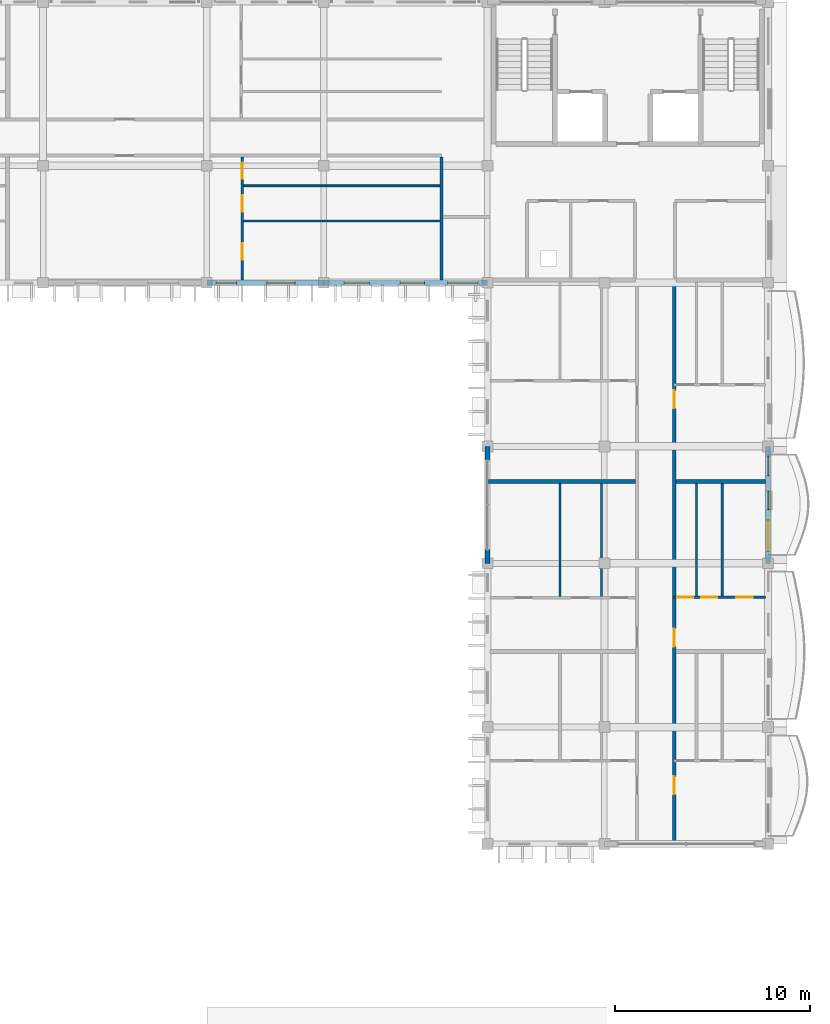
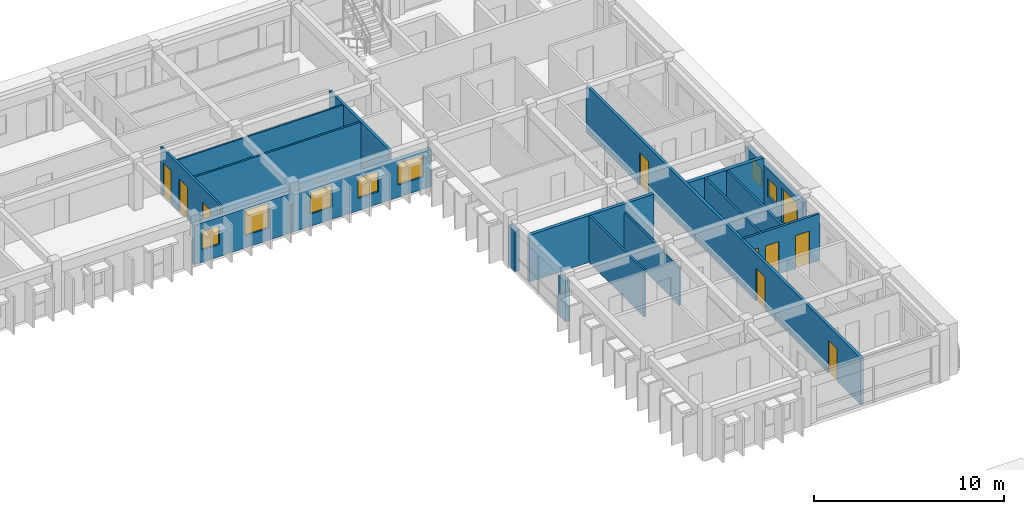
# One storey, part 34 of 54: 17 walls, 10 doors, 7 windows, 17 openings.
"""IFC4 building model written with IfcOpenShell, lengths in metres."""

from ifc_helpers import new_model, si_unit, direction, frame, frame_2d, origin, place, context, subcontext, project, spatial, rectangle, extrude, material, layer, layer_set, type_object, element, fill, save


model = new_model("IFC4")

# Units and contexts
model_context = context("Model", 3, precision=1e-05, world=origin(), true_north=direction((0.0, 1.0)))
body_context = subcontext(model_context, "Body", "Model", "MODEL_VIEW")
ifc_project = project(units=[si_unit("LENGTHUNIT", "METRE"), si_unit("AREAUNIT", "SQUARE_METRE"), si_unit("VOLUMEUNIT", "CUBIC_METRE"), si_unit("PLANEANGLEUNIT", "RADIAN"), si_unit("MASSUNIT", "GRAM", prefix="KILO"), si_unit("THERMODYNAMICTEMPERATUREUNIT", "KELVIN")], contexts=[model_context])

# Site, building, storey
site_placement = place(None, origin())
site = spatial("IfcSite", under=ifc_project, at=site_placement, CompositionType="ELEMENT")
building_placement = place(site_placement, origin())
building = spatial("IfcBuilding", under=site, at=building_placement, Name="Thalorik Housing Commons", CompositionType="ELEMENT")
storey_placement = place(building_placement, frame((0.0, 0.0, 31.199951171875)))
storey = spatial("IfcBuildingStorey", under=building, at=storey_placement, Name="L09", CompositionType="ELEMENT", Elevation=31.199951171875)

# Wall
ifc_material_1 = material(Name="Masonry fire-rated corridor wall", Category="masonry")
ifc_layer_1 = layer(ifc_material_1, 0.14990234375, Name="Masonry fire-rated corridor wall", Category="masonry")
ifc_layer_set_1 = layer_set([ifc_layer_1], Name="Masonry fire-rated corridor wall")
wall_type_1 = type_object("IfcWallType", Name="ARC-WAL-CORR-150", PredefinedType="PARTITIONING", material=ifc_layer_set_1)
wall_1_placement = place(storey_placement, frame((150.050048828125, 109.33447265625, 0.0), z_axis=(0.0, 0.0, 1.0), x_axis=(0.0, 1.0, 0.0)))
element("IfcWall", 1, at=wall_1_placement, inside=storey, type_object=wall_type_1, Name="L09 Block B Vestibule Cheek Wall", PredefinedType="PARTITIONING", context=body_context, shape_type="SweptSolid", body=[
    extrude(rectangle(XDim=6.30859375, YDim=0.14990234375, at=frame_2d((3.154296875, 0.0))), origin(), (0.0, 0.0, 1.0), 3.0),
])

# Wall, openings, doors
ifc_layer_2 = layer(ifc_material_1, 0.1650390625, Name="Masonry fire-rated corridor wall", Category="masonry")
ifc_layer_set_2 = layer_set([ifc_layer_2], Name="Masonry fire-rated corridor wall")
wall_type_2 = type_object("IfcWallType", Name="ARC-WAL-CORR-165", PredefinedType="PARTITIONING", material=ifc_layer_set_2)
wall_2_placement = place(storey_placement, frame((161.97998046875, 80.4599609375, 0.0), z_axis=(0.0, 0.0, 1.0), x_axis=(0.0, 1.0, 0.0)))
wall_2 = element("IfcWall", 2, at=wall_2_placement, inside=storey, type_object=wall_type_2, Name="L09 Block B E Corridor Wall 2", PredefinedType="PARTITIONING", context=body_context, shape_type="SweptSolid", body=[
    extrude(rectangle(XDim=28.880126953125, YDim=0.1650390625, at=frame_2d((14.43994140625, 0.0))), origin(), (0.0, 0.0, 1.0), 3.0),
])
opening_1_placement = place(wall_2_placement, frame((2.4873046875, 0.0, 0.0)))
opening_1 = element("IfcOpeningElement", 3, at=opening_1_placement, cuts=wall_2, Name="Opening ID-1427", PredefinedType="OPENING", context=body_context, shape_type="SweptSolid", body=[
    extrude(rectangle(XDim=0.919921875, YDim=2.10009765625, at=frame_2d((0.4599609375, 1.050048828125))), frame((0.0, 0.092529296875, 0.0), z_axis=(0.0, -1.0, 0.0), x_axis=(1.0, 0.0, 0.0)), (0.0, 0.0, 1.0), 0.18505859375),
])
opening_2_placement = place(wall_2_placement, frame((10.070068359375, 0.0, 0.0)))
opening_2 = element("IfcOpeningElement", 4, at=opening_2_placement, cuts=wall_2, Name="Opening ID-1428", PredefinedType="OPENING", context=body_context, shape_type="SweptSolid", body=[
    extrude(rectangle(XDim=0.919921875, YDim=2.10009765625, at=frame_2d((0.4599609375, 1.050048828125))), frame((0.0, 0.092529296875, 0.0), z_axis=(0.0, -1.0, 0.0), x_axis=(1.0, 0.0, 0.0)), (0.0, 0.0, 1.0), 0.18505859375),
])
opening_3_placement = place(wall_2_placement, frame((22.293212890625, 0.0, 0.0)))
opening_3 = element("IfcOpeningElement", 5, at=opening_3_placement, cuts=wall_2, Name="Opening ID-1429", PredefinedType="OPENING", context=body_context, shape_type="SweptSolid", body=[
    extrude(rectangle(XDim=0.919921875, YDim=2.10009765625, at=frame_2d((0.4599609375, 1.050048828125))), frame((0.0, 0.092529296875, 0.0), z_axis=(0.0, -1.0, 0.0), x_axis=(1.0, 0.0, 0.0)), (0.0, 0.0, 1.0), 0.18505859375),
])
ifc_material_2 = material(Name="Solid core hardwood timber", Category="wood")
door_type_1 = type_object("IfcDoorType", Name="ARC-DR-FD30-920", OperationType="NOTDEFINED", PredefinedType="DOOR", material=ifc_material_2)
door_1_placement = place(opening_1_placement, origin())
door_1 = element("IfcDoor", 6, at=door_1_placement, inside=storey, type_object=door_type_1, Name="L09 Flat BE-1B Entrance Door", OperationType="SINGLE_SWING_RIGHT", OverallHeight=2.10009765625, OverallWidth=0.919921875, PredefinedType="DOOR", context=body_context, shape_type="SweptSolid", body=[
    extrude(rectangle(XDim=0.919921875, YDim=2.10009765625, at=frame_2d((0.4599609375, 1.050048828125))), frame((0.0, 0.02490234375, 0.0), z_axis=(0.0, -1.0, 0.0), x_axis=(1.0, 0.0, 0.0)), (0.0, 0.0, 1.0), 0.050048828125),
])
fill(opening_1, door_1)
door_2_placement = place(opening_2_placement, origin())
door_2 = element("IfcDoor", 7, at=door_2_placement, inside=storey, type_object=door_type_1, Name="L09 Flat BE-2B Entrance Door", OperationType="SINGLE_SWING_LEFT", OverallHeight=2.10009765625, OverallWidth=0.919921875, PredefinedType="DOOR", context=body_context, shape_type="SweptSolid", body=[
    extrude(rectangle(XDim=0.919921875, YDim=2.10009765625, at=frame_2d((0.4599609375, 1.050048828125))), frame((0.0, 0.02490234375, 0.0), z_axis=(0.0, -1.0, 0.0), x_axis=(1.0, 0.0, 0.0)), (0.0, 0.0, 1.0), 0.050048828125),
])
fill(opening_2, door_2)
door_3_placement = place(opening_3_placement, origin())
door_3 = element("IfcDoor", 8, at=door_3_placement, inside=storey, type_object=door_type_1, Name="L09 Flat BE-3B Entrance Door", OperationType="SINGLE_SWING_RIGHT", OverallHeight=2.10009765625, OverallWidth=0.919921875, PredefinedType="DOOR", context=body_context, shape_type="SweptSolid", body=[
    extrude(rectangle(XDim=0.919921875, YDim=2.10009765625, at=frame_2d((0.4599609375, 1.050048828125))), frame((0.0, 0.02490234375, 0.0), z_axis=(0.0, -1.0, 0.0), x_axis=(1.0, 0.0, 0.0)), (0.0, 0.0, 1.0), 0.050048828125),
])
fill(opening_3, door_3)

# Wall, openings, windows
ifc_material_3 = material(Name="White precast concrete C40/50", Category="concrete")
ifc_layer_3 = layer(ifc_material_3, 0.264892578125, Name="White precast concrete C40/50", Category="concrete")
ifc_layer_set_3 = layer_set([ifc_layer_3], Name="White precast concrete C40/50")
wall_type_3 = type_object("IfcWallType", Name="ARC-WAL-EXT-265", PredefinedType="STANDARD", material=ifc_layer_set_3)
wall_3_placement = place(storey_placement, frame((138.0, 109.199951171875, 0.0), z_axis=(0.0, 0.0, 1.0), x_axis=(1.0, 0.0, 0.0)))
wall_3 = element("IfcWall", 9, at=wall_3_placement, inside=storey, type_object=wall_type_3, Name="L09 Exterior Wall WAL-EXT-L09-B-0731", PredefinedType="STANDARD", context=body_context, shape_type="SweptSolid", body=[
    extrude(rectangle(XDim=6.0, YDim=0.264892578125, at=frame_2d((3.0, 0.0))), origin(), (0.0, 0.0, 1.0), 2.525146484375),
])
opening_4_placement = place(wall_3_placement, frame((0.4775390625, 0.0, 0.780029296875)))
opening_4 = element("IfcOpeningElement", 10, at=opening_4_placement, cuts=wall_3, Name="Opening W-44", PredefinedType="OPENING", context=body_context, shape_type="SweptSolid", body=[
    extrude(rectangle(XDim=1.050048828125, YDim=1.199951171875, at=frame_2d((0.52490234375, 0.60009765625))), frame((0.0, 0.142578125, 0.0), z_axis=(0.0, -1.0, 0.0), x_axis=(1.0, 0.0, 0.0)), (0.0, 0.0, 1.0), 0.284912109375),
])
opening_5_placement = place(wall_3_placement, frame((3.08740234375, 0.0, 0.780029296875)))
opening_5 = element("IfcOpeningElement", 11, at=opening_5_placement, cuts=wall_3, Name="Opening W-09", PredefinedType="OPENING", context=body_context, shape_type="SweptSolid", body=[
    extrude(rectangle(XDim=1.449951171875, YDim=1.60009765625, at=frame_2d((0.72509765625, 0.800048828125))), frame((0.0, 0.142578125, 0.0), z_axis=(0.0, -1.0, 0.0), x_axis=(1.0, 0.0, 0.0)), (0.0, 0.0, 1.0), 0.284912109375),
])
ifc_material_4 = material(Name="Anodised aluminium and solar-control low-E glass", Category="aluminium")
window_type_1 = type_object("IfcWindowType", Name="ARC-WIN-09", PartitioningType="SINGLE_PANEL", PredefinedType="WINDOW", material=ifc_material_4)
window_1_placement = place(opening_5_placement, origin())
window_1 = element("IfcWindow", 12, at=window_1_placement, inside=storey, type_object=window_type_1, Name="L09 Facade Window 1342", OverallHeight=1.60009765625, OverallWidth=1.449951171875, PartitioningType="SINGLE_PANEL", PredefinedType="WINDOW", context=body_context, shape_type="SweptSolid", body=[
    extrude(rectangle(XDim=1.449951171875, YDim=1.60009765625, at=frame_2d((0.72509765625, 0.800048828125))), frame((0.0, 0.030029296875, 0.0), z_axis=(0.0, -1.0, 0.0), x_axis=(1.0, 0.0, 0.0)), (0.0, 0.0, 1.0), 0.06005859375),
])
fill(opening_5, window_1)
window_type_2 = type_object("IfcWindowType", Name="ARC-WIN-44", PartitioningType="SINGLE_PANEL", PredefinedType="WINDOW", material=ifc_material_4)
window_2_placement = place(opening_4_placement, origin())
window_2 = element("IfcWindow", 13, at=window_2_placement, inside=storey, type_object=window_type_2, Name="L09 Facade Window 1341", OverallHeight=1.199951171875, OverallWidth=1.050048828125, PartitioningType="SINGLE_PANEL", PredefinedType="WINDOW", context=body_context, shape_type="SweptSolid", body=[
    extrude(rectangle(XDim=1.050048828125, YDim=1.199951171875, at=frame_2d((0.52490234375, 0.60009765625))), frame((0.0, 0.030029296875, 0.0), z_axis=(0.0, -1.0, 0.0), x_axis=(1.0, 0.0, 0.0)), (0.0, 0.0, 1.0), 0.06005859375),
])
fill(opening_4, window_2)

wall_4_placement = place(storey_placement, frame((144.0, 109.199951171875, 0.0), z_axis=(0.0, 0.0, 1.0), x_axis=(1.0, 0.0, 0.0)))
wall_4 = element("IfcWall", 14, at=wall_4_placement, inside=storey, type_object=wall_type_3, Name="L09 Exterior Wall WAL-EXT-L09-B-0732", PredefinedType="STANDARD", context=body_context, shape_type="SweptSolid", body=[
    extrude(rectangle(XDim=8.39990234375, YDim=0.264892578125, at=frame_2d((4.199951171875, 0.0))), origin(), (0.0, 0.0, 1.0), 2.375),
])
opening_6_placement = place(wall_4_placement, frame((1.0400390625, 0.0, 0.780029296875)))
opening_6 = element("IfcOpeningElement", 15, at=opening_6_placement, cuts=wall_4, Name="Opening W-06", PredefinedType="OPENING", context=body_context, shape_type="SweptSolid", body=[
    extrude(rectangle(XDim=1.300048828125, YDim=1.39990234375, at=frame_2d((0.64990234375, 0.699951171875))), frame((0.0, 0.142578125, 0.0), z_axis=(0.0, -1.0, 0.0), x_axis=(1.0, 0.0, 0.0)), (0.0, 0.0, 1.0), 0.284912109375),
])
opening_7_placement = place(wall_4_placement, frame((3.925048828125, 0.0, 0.780029296875)))
opening_7 = element("IfcOpeningElement", 16, at=opening_7_placement, cuts=wall_4, Name="Opening W-46", PredefinedType="OPENING", context=body_context, shape_type="SweptSolid", body=[
    extrude(rectangle(XDim=1.25, YDim=1.300048828125, at=frame_2d((0.625, 0.64990234375))), frame((0.0, 0.142578125, 0.0), z_axis=(0.0, -1.0, 0.0), x_axis=(1.0, 0.0, 0.0)), (0.0, 0.0, 1.0), 0.284912109375),
])
opening_8_placement = place(wall_4_placement, frame((6.35498046875, 0.0, 0.780029296875)))
opening_8 = element("IfcOpeningElement", 17, at=opening_8_placement, cuts=wall_4, Name="Opening W-12", PredefinedType="OPENING", context=body_context, shape_type="SweptSolid", body=[
    extrude(rectangle(XDim=1.550048828125, YDim=1.39990234375, at=frame_2d((0.77490234375, 0.699951171875))), frame((0.0, 0.142578125, 0.0), z_axis=(0.0, -1.0, 0.0), x_axis=(1.0, 0.0, 0.0)), (0.0, 0.0, 1.0), 0.284912109375),
])
window_type_3 = type_object("IfcWindowType", Name="ARC-WIN-06", PartitioningType="SINGLE_PANEL", PredefinedType="WINDOW", material=ifc_material_4)
window_3_placement = place(opening_6_placement, origin())
window_3 = element("IfcWindow", 18, at=window_3_placement, inside=storey, type_object=window_type_3, Name="L09 Facade Window 1343", OverallHeight=1.39990234375, OverallWidth=1.300048828125, PartitioningType="SINGLE_PANEL", PredefinedType="WINDOW", context=body_context, shape_type="SweptSolid", body=[
    extrude(rectangle(XDim=1.300048828125, YDim=1.39990234375, at=frame_2d((0.64990234375, 0.699951171875))), frame((0.0, 0.030029296875, 0.0), z_axis=(0.0, -1.0, 0.0), x_axis=(1.0, 0.0, 0.0)), (0.0, 0.0, 1.0), 0.06005859375),
])
fill(opening_6, window_3)
window_type_4 = type_object("IfcWindowType", Name="ARC-WIN-12", PartitioningType="SINGLE_PANEL", PredefinedType="WINDOW", material=ifc_material_4)
window_4_placement = place(opening_8_placement, origin())
window_4 = element("IfcWindow", 19, at=window_4_placement, inside=storey, type_object=window_type_4, Name="L09 Facade Window 1345", OverallHeight=1.39990234375, OverallWidth=1.550048828125, PartitioningType="SINGLE_PANEL", PredefinedType="WINDOW", context=body_context, shape_type="SweptSolid", body=[
    extrude(rectangle(XDim=1.550048828125, YDim=1.39990234375, at=frame_2d((0.77490234375, 0.699951171875))), frame((0.0, 0.030029296875, 0.0), z_axis=(0.0, -1.0, 0.0), x_axis=(1.0, 0.0, 0.0)), (0.0, 0.0, 1.0), 0.06005859375),
])
fill(opening_8, window_4)
window_type_5 = type_object("IfcWindowType", Name="ARC-WIN-46", PartitioningType="SINGLE_PANEL", PredefinedType="WINDOW", material=ifc_material_4)
window_5_placement = place(opening_7_placement, origin())
window_5 = element("IfcWindow", 20, at=window_5_placement, inside=storey, type_object=window_type_5, Name="L09 Facade Window 1344", OverallHeight=1.300048828125, OverallWidth=1.25, PartitioningType="SINGLE_PANEL", PredefinedType="WINDOW", context=body_context, shape_type="SweptSolid", body=[
    extrude(rectangle(XDim=1.25, YDim=1.300048828125, at=frame_2d((0.625, 0.64990234375))), frame((0.0, 0.030029296875, 0.0), z_axis=(0.0, -1.0, 0.0), x_axis=(1.0, 0.0, 0.0)), (0.0, 0.0, 1.0), 0.06005859375),
])
fill(opening_7, window_5)

# Walls
for number, where, z_axis, x_axis, name in (
    (21, (152.39990234375, 100.800048828125, 0.0), (0.0, 0.0, 1.0), (0.0, -1.0, 0.0), "L09 Exterior Wall WAL-PIERL-L09-B-0734"),
    (22, (152.39990234375, 95.5, 0.0), (0.0, 0.0, 1.0), (0.0, -1.0, 0.0), "L09 Exterior Wall WAL-PIERR-L09-B-0734"),
):
    element("IfcWall", number, at=place(storey_placement, frame(where, z_axis=z_axis, x_axis=x_axis)), inside=storey, type_object=wall_type_3, Name=name, PredefinedType="STANDARD", context=body_context, shape_type="SweptSolid", body=[
        extrude(rectangle(XDim=0.699951171875, YDim=0.264892578125, at=frame_2d((0.35009765625, 0.0))), origin(), (0.0, 0.0, 1.0), 2.574951171875),
    ])

# Wall, openings, door, windows
wall_5_placement = place(storey_placement, frame((166.800048828125, 94.800048828125, 0.0), z_axis=(0.0, 0.0, 1.0), x_axis=(0.0, 1.0, 0.0)))
wall_5 = element("IfcWall", 23, at=wall_5_placement, inside=storey, type_object=wall_type_3, Name="L09 Exterior Wall WAL-EXT-L09-B-0741", PredefinedType="STANDARD", context=body_context, shape_type="SweptSolid", body=[
    extrude(rectangle(XDim=6.0, YDim=0.264892578125, at=frame_2d((3.0, 0.0))), origin(), (0.0, 0.0, 1.0), 2.574951171875),
])
opening_9_placement = place(wall_5_placement, frame((0.6201171875, 0.0, 0.0)))
opening_9 = element("IfcOpeningElement", 24, at=opening_9_placement, cuts=wall_5, Name="Opening ED-0248", PredefinedType="OPENING", context=body_context, shape_type="SweptSolid", body=[
    extrude(rectangle(XDim=1.60009765625, YDim=2.199951171875, at=frame_2d((0.800048828125, 1.10009765625))), frame((0.0, 0.142578125, 0.0), z_axis=(0.0, -1.0, 0.0), x_axis=(1.0, 0.0, 0.0)), (0.0, 0.0, 1.0), 0.284912109375),
])
opening_10_placement = place(wall_5_placement, frame((2.760009765625, 0.0, 0.780029296875)))
opening_10 = element("IfcOpeningElement", 25, at=opening_10_placement, cuts=wall_5, Name="Opening W-43", PredefinedType="OPENING", context=body_context, shape_type="SweptSolid", body=[
    extrude(rectangle(XDim=0.949951171875, YDim=1.14990234375, at=frame_2d((0.47509765625, 0.574951171875))), frame((0.0, 0.142578125, 0.0), z_axis=(0.0, -1.0, 0.0), x_axis=(1.0, 0.0, 0.0)), (0.0, 0.0, 1.0), 0.284912109375),
])
opening_11_placement = place(wall_5_placement, frame((4.5048828125, 0.0, 0.780029296875)))
opening_11 = element("IfcOpeningElement", 26, at=opening_11_placement, cuts=wall_5, Name="Opening W-02", PredefinedType="OPENING", context=body_context, shape_type="SweptSolid", body=[
    extrude(rectangle(XDim=1.0, YDim=1.25, at=frame_2d((0.5, 0.625))), frame((0.0, 0.142578125, 0.0), z_axis=(0.0, -1.0, 0.0), x_axis=(1.0, 0.0, 0.0)), (0.0, 0.0, 1.0), 0.284912109375),
])
ifc_material_5 = material(Name="Anodised aluminium and laminated safety glass", Category="aluminium")
door_type_2 = type_object("IfcDoorType", Name="ARC-DR-BAL-1600", OperationType="NOTDEFINED", PredefinedType="DOOR", material=ifc_material_5)
door_4_placement = place(opening_9_placement, frame((1.60009765625, 0.0, 0.0), z_axis=(0.0, 0.0, 1.0), x_axis=(-1.0, 0.0, 0.0)))
door_4 = element("IfcDoor", 27, at=door_4_placement, inside=storey, type_object=door_type_2, Name="L09 Block B Balcony Glazed Door", OperationType="SLIDING_TO_LEFT", OverallHeight=2.199951171875, OverallWidth=1.60009765625, PredefinedType="DOOR", context=body_context, shape_type="SweptSolid", body=[
    extrude(rectangle(XDim=1.60009765625, YDim=2.199951171875, at=frame_2d((0.800048828125, 1.10009765625))), frame((0.0, 0.02490234375, 0.0), z_axis=(0.0, -1.0, 0.0), x_axis=(1.0, 0.0, 0.0)), (0.0, 0.0, 1.0), 0.050048828125),
])
fill(opening_9, door_4)
window_type_6 = type_object("IfcWindowType", Name="ARC-WIN-02", PartitioningType="SINGLE_PANEL", PredefinedType="WINDOW", material=ifc_material_4)
window_6_placement = place(opening_11_placement, origin())
window_6 = element("IfcWindow", 28, at=window_6_placement, inside=storey, type_object=window_type_6, Name="L09 Facade Window 1362", OverallHeight=1.25, OverallWidth=1.0, PartitioningType="SINGLE_PANEL", PredefinedType="WINDOW", context=body_context, shape_type="SweptSolid", body=[
    extrude(rectangle(XDim=1.0, YDim=1.25, at=frame_2d((0.5, 0.625))), frame((0.0, 0.030029296875, 0.0), z_axis=(0.0, -1.0, 0.0), x_axis=(1.0, 0.0, 0.0)), (0.0, 0.0, 1.0), 0.06005859375),
])
fill(opening_11, window_6)
window_type_7 = type_object("IfcWindowType", Name="ARC-WIN-43", PartitioningType="SINGLE_PANEL", PredefinedType="WINDOW", material=ifc_material_4)
window_7_placement = place(opening_10_placement, origin())
window_7 = element("IfcWindow", 29, at=window_7_placement, inside=storey, type_object=window_type_7, Name="L09 Facade Window 1361", OverallHeight=1.14990234375, OverallWidth=0.949951171875, PartitioningType="SINGLE_PANEL", PredefinedType="WINDOW", context=body_context, shape_type="SweptSolid", body=[
    extrude(rectangle(XDim=0.949951171875, YDim=1.14990234375, at=frame_2d((0.47509765625, 0.574951171875))), frame((0.0, 0.030029296875, 0.0), z_axis=(0.0, -1.0, 0.0), x_axis=(1.0, 0.0, 0.0)), (0.0, 0.0, 1.0), 0.06005859375),
])
fill(opening_10, window_7)

# Walls
ifc_material_6 = material(Name="Gypsum light stud partition", Category="masonry")
ifc_layer_4 = layer(ifc_material_6, 0.10009765625, Name="Gypsum light stud partition", Category="masonry")
ifc_layer_set_4 = layer_set([ifc_layer_4], Name="Gypsum light stud partition")
wall_type_4 = type_object("IfcWallType", Name="ARC-WAL-PART-100", PredefinedType="PARTITIONING", material=ifc_layer_set_4)
wall_6_placement = place(storey_placement, frame((139.87939453125, 114.169677734375, 0.0), z_axis=(0.0, 0.0, 1.0), x_axis=(1.0, 0.0, 0.0)))
element("IfcWall", 30, at=wall_6_placement, inside=storey, type_object=wall_type_4, Name="L09 Unit 3 Wet Wall", PredefinedType="PARTITIONING", context=body_context, shape_type="SweptSolid", body=[
    extrude(rectangle(XDim=10.093505859375, YDim=0.10009765625, at=frame_2d((5.046875, 0.0))), origin(), (0.0, 0.0, 1.0), 3.0),
])
wall_7_placement = place(storey_placement, frame((158.251220703125, 93.1044921875, 0.0), z_axis=(0.0, 0.0, 1.0), x_axis=(0.0, 1.0, 0.0)))
element("IfcWall", 31, at=wall_7_placement, inside=storey, type_object=wall_type_4, Name="L09 Unit 2 Wet Wall", PredefinedType="PARTITIONING", context=body_context, shape_type="SweptSolid", body=[
    extrude(rectangle(XDim=5.79345703125, YDim=0.10009765625, at=frame_2d((2.896728515625, 0.0))), origin(), (0.0, 0.0, 1.0), 2.425048828125),
])
ifc_material_7 = material(Name="Gypsum moisture-resistant partition", Category="masonry")
ifc_layer_5 = layer(ifc_material_7, 0.114990234375, Name="Gypsum moisture-resistant partition", Category="masonry")
ifc_layer_set_5 = layer_set([ifc_layer_5], Name="Gypsum moisture-resistant partition")
wall_type_5 = type_object("IfcWallType", Name="ARC-WAL-PART-115", PredefinedType="PARTITIONING", material=ifc_layer_set_5)
wall_8_placement = place(storey_placement, frame((139.87939453125, 112.36083984375, 0.0), z_axis=(0.0, 0.0, 1.0), x_axis=(1.0, 0.0, 0.0)))
element("IfcWall", 32, at=wall_8_placement, inside=storey, type_object=wall_type_5, Name="L09 Unit 3 Bedroom Partition", PredefinedType="PARTITIONING", context=body_context, shape_type="SweptSolid", body=[
    extrude(rectangle(XDim=10.093505859375, YDim=0.114990234375, at=frame_2d((5.046875, 0.0))), origin(), (0.0, 0.0, 1.0), 3.0),
])
wall_9_placement = place(storey_placement, frame((156.11767578125, 93.1044921875, 0.0), z_axis=(0.0, 0.0, 1.0), x_axis=(0.0, 1.0, 0.0)))
element("IfcWall", 33, at=wall_9_placement, inside=storey, type_object=wall_type_5, Name="L09 Unit 2 Bedroom Partition", PredefinedType="PARTITIONING", context=body_context, shape_type="SweptSolid", body=[
    extrude(rectangle(XDim=5.79345703125, YDim=0.114990234375, at=frame_2d((2.896728515625, 0.0))), origin(), (0.0, 0.0, 1.0), 3.0),
])
wall_10_placement = place(storey_placement, frame((163.122314453125, 93.1376953125, 0.0), z_axis=(0.0, 0.0, 1.0), x_axis=(0.0, 1.0, 0.0)))
element("IfcWall", 34, at=wall_10_placement, inside=storey, type_object=wall_type_5, Name="L09 Unit 2B Wet Wall", PredefinedType="PARTITIONING", context=body_context, shape_type="SweptSolid", body=[
    extrude(rectangle(XDim=5.750244140625, YDim=0.114990234375, at=frame_2d((2.875, 0.0))), origin(), (0.0, 0.0, 1.0), 3.0),
])

# Wall, openings, doors
ifc_material_8 = material(Name="Gypsum acoustic stud partition", Category="masonry")
ifc_layer_6 = layer(ifc_material_8, 0.125, Name="Gypsum acoustic stud partition", Category="masonry")
ifc_layer_set_6 = layer_set([ifc_layer_6], Name="Gypsum acoustic stud partition")
wall_type_6 = type_object("IfcWallType", Name="ARC-WAL-PART-125", PredefinedType="PARTITIONING", material=ifc_layer_set_6)
wall_11_placement = place(storey_placement, frame((139.81494140625, 109.33447265625, 0.0), z_axis=(0.0, 0.0, 1.0), x_axis=(0.0, 1.0, 0.0)))
wall_11 = element("IfcWall", 35, at=wall_11_placement, inside=storey, type_object=wall_type_6, Name="L09 Unit 3 Spine Partition", PredefinedType="PARTITIONING", context=body_context, shape_type="SweptSolid", body=[
    extrude(rectangle(XDim=6.30859375, YDim=0.125, at=frame_2d((3.154296875, 0.0))), origin(), (0.0, 0.0, 1.0), 3.0),
])
opening_12_placement = place(wall_11_placement, frame((1.05078125, 0.0, 0.0)))
opening_12 = element("IfcOpeningElement", 36, at=opening_12_placement, cuts=wall_11, Name="Opening ID-1394", PredefinedType="OPENING", context=body_context, shape_type="SweptSolid", body=[
    extrude(rectangle(XDim=0.85009765625, YDim=2.10009765625, at=frame_2d((0.425048828125, 1.050048828125))), frame((0.0, 0.072509765625, 0.0), z_axis=(0.0, -1.0, 0.0), x_axis=(1.0, 0.0, 0.0)), (0.0, 0.0, 1.0), 0.14501953125),
])
opening_13_placement = place(wall_11_placement, frame((3.505615234375, 0.0, 0.0)))
opening_13 = element("IfcOpeningElement", 37, at=opening_13_placement, cuts=wall_11, Name="Opening ID-1395", PredefinedType="OPENING", context=body_context, shape_type="SweptSolid", body=[
    extrude(rectangle(XDim=0.85009765625, YDim=2.10009765625, at=frame_2d((0.425048828125, 1.050048828125))), frame((0.0, 0.072509765625, 0.0), z_axis=(0.0, -1.0, 0.0), x_axis=(1.0, 0.0, 0.0)), (0.0, 0.0, 1.0), 0.14501953125),
])
opening_14_placement = place(wall_11_placement, frame((5.210205078125, 0.0, 0.0)))
opening_14 = element("IfcOpeningElement", 38, at=opening_14_placement, cuts=wall_11, Name="Opening ID-1396", PredefinedType="OPENING", context=body_context, shape_type="SweptSolid", body=[
    extrude(rectangle(XDim=0.800048828125, YDim=2.10009765625, at=frame_2d((0.39990234375, 1.050048828125))), frame((0.0, 0.072509765625, 0.0), z_axis=(0.0, -1.0, 0.0), x_axis=(1.0, 0.0, 0.0)), (0.0, 0.0, 1.0), 0.14501953125),
])
ifc_material_9 = material(Name="Moisture-resistant timber", Category="wood")
door_type_3 = type_object("IfcDoorType", Name="ARC-DR-INT-800", OperationType="NOTDEFINED", PredefinedType="DOOR", material=ifc_material_9)
door_5_placement = place(opening_14_placement, origin())
door_5 = element("IfcDoor", 39, at=door_5_placement, inside=storey, type_object=door_type_3, Name="L09 Flat Bathroom Door", OperationType="SINGLE_SWING_LEFT", OverallHeight=2.10009765625, OverallWidth=0.800048828125, PredefinedType="DOOR", context=body_context, shape_type="SweptSolid", body=[
    extrude(rectangle(XDim=0.800048828125, YDim=2.10009765625, at=frame_2d((0.39990234375, 1.050048828125))), frame((0.0, 0.02490234375, 0.0), z_axis=(0.0, -1.0, 0.0), x_axis=(1.0, 0.0, 0.0)), (0.0, 0.0, 1.0), 0.050048828125),
])
fill(opening_14, door_5)
ifc_material_10 = material(Name="Engineered oak timber", Category="wood")
door_type_4 = type_object("IfcDoorType", Name="ARC-DR-INT-850", OperationType="NOTDEFINED", PredefinedType="DOOR", material=ifc_material_10)
door_6_placement = place(opening_12_placement, origin())
door_6 = element("IfcDoor", 40, at=door_6_placement, inside=storey, type_object=door_type_4, Name="L09 Double Bedroom Door", OperationType="SINGLE_SWING_LEFT", OverallHeight=2.10009765625, OverallWidth=0.85009765625, PredefinedType="DOOR", context=body_context, shape_type="SweptSolid", body=[
    extrude(rectangle(XDim=0.85009765625, YDim=2.10009765625, at=frame_2d((0.425048828125, 1.050048828125))), frame((0.0, 0.02490234375, 0.0), z_axis=(0.0, -1.0, 0.0), x_axis=(1.0, 0.0, 0.0)), (0.0, 0.0, 1.0), 0.050048828125),
])
fill(opening_12, door_6)
door_7_placement = place(opening_13_placement, origin())
door_7 = element("IfcDoor", 41, at=door_7_placement, inside=storey, type_object=door_type_4, Name="L09 Galley Kitchen Door", OperationType="SINGLE_SWING_RIGHT", OverallHeight=2.10009765625, OverallWidth=0.85009765625, PredefinedType="DOOR", context=body_context, shape_type="SweptSolid", body=[
    extrude(rectangle(XDim=0.85009765625, YDim=2.10009765625, at=frame_2d((0.425048828125, 1.050048828125))), frame((0.0, 0.02490234375, 0.0), z_axis=(0.0, -1.0, 0.0), x_axis=(1.0, 0.0, 0.0)), (0.0, 0.0, 1.0), 0.050048828125),
])
fill(opening_13, door_7)

# Wall
wall_12_placement = place(storey_placement, frame((164.455078125, 93.1376953125, 0.0), z_axis=(0.0, 0.0, 1.0), x_axis=(0.0, 1.0, 0.0)))
element("IfcWall", 42, at=wall_12_placement, inside=storey, type_object=wall_type_6, Name="L09 Unit 2B Bedroom Partition", PredefinedType="PARTITIONING", context=body_context, shape_type="SweptSolid", body=[
    extrude(rectangle(XDim=5.750244140625, YDim=0.125, at=frame_2d((2.875, 0.0))), origin(), (0.0, 0.0, 1.0), 3.0),
])

# Wall, openings, doors
ifc_material_11 = material(Name="Ceramic masonry partition wall", Category="masonry")
ifc_layer_7 = layer(ifc_material_11, 0.139892578125, Name="Ceramic masonry partition wall", Category="masonry")
ifc_layer_set_7 = layer_set([ifc_layer_7], Name="Ceramic masonry partition wall")
wall_type_7 = type_object("IfcWallType", Name="ARC-WAL-PART-140", PredefinedType="PARTITIONING", material=ifc_layer_set_7)
wall_13_placement = place(storey_placement, frame((161.97998046875, 93.065673828125, 0.0), z_axis=(0.0, 0.0, 1.0), x_axis=(1.0, 0.0, 0.0)))
wall_13 = element("IfcWall", 43, at=wall_13_placement, inside=storey, type_object=wall_type_7, Name="L09 Unit 2B Spine Partition", PredefinedType="PARTITIONING", context=body_context, shape_type="SweptSolid", body=[
    extrude(rectangle(XDim=4.685546875, YDim=0.139892578125, at=frame_2d((2.3427734375, 0.0))), origin(), (0.0, 0.0, 1.0), 3.0),
])
opening_15_placement = place(wall_13_placement, frame((0.171142578125, 0.0, 0.0)))
opening_15 = element("IfcOpeningElement", 44, at=opening_15_placement, cuts=wall_13, Name="Opening ID-1415", PredefinedType="OPENING", context=body_context, shape_type="SweptSolid", body=[
    extrude(rectangle(XDim=0.800048828125, YDim=2.10009765625, at=frame_2d((0.39990234375, 1.050048828125))), frame((0.0, 0.080078125, 0.0), z_axis=(0.0, -1.0, 0.0), x_axis=(1.0, 0.0, 0.0)), (0.0, 0.0, 1.0), 0.159912109375),
])
opening_16_placement = place(wall_13_placement, frame((1.3837890625, 0.0, 0.0)))
opening_16 = element("IfcOpeningElement", 45, at=opening_16_placement, cuts=wall_13, Name="Opening ID-1416", PredefinedType="OPENING", context=body_context, shape_type="SweptSolid", body=[
    extrude(rectangle(XDim=0.820068359375, YDim=2.080078125, at=frame_2d((0.41015625, 1.0400390625))), frame((0.0, 0.080078125, 0.0), z_axis=(0.0, -1.0, 0.0), x_axis=(1.0, 0.0, 0.0)), (0.0, 0.0, 1.0), 0.159912109375),
])
opening_17_placement = place(wall_13_placement, frame((3.192626953125, 0.0, 0.0)))
opening_17 = element("IfcOpeningElement", 46, at=opening_17_placement, cuts=wall_13, Name="Opening ID-1417", PredefinedType="OPENING", context=body_context, shape_type="SweptSolid", body=[
    extrude(rectangle(XDim=0.85009765625, YDim=2.10009765625, at=frame_2d((0.425048828125, 1.050048828125))), frame((0.0, 0.080078125, 0.0), z_axis=(0.0, -1.0, 0.0), x_axis=(1.0, 0.0, 0.0)), (0.0, 0.0, 1.0), 0.159912109375),
])
door_8_placement = place(opening_15_placement, origin())
door_8 = element("IfcDoor", 47, at=door_8_placement, inside=storey, type_object=door_type_3, Name="L09 Accessible Bathroom Door", OperationType="SINGLE_SWING_RIGHT", OverallHeight=2.10009765625, OverallWidth=0.800048828125, PredefinedType="DOOR", context=body_context, shape_type="SweptSolid", body=[
    extrude(rectangle(XDim=0.800048828125, YDim=2.10009765625, at=frame_2d((0.39990234375, 1.050048828125))), frame((0.0, 0.02490234375, 0.0), z_axis=(0.0, -1.0, 0.0), x_axis=(1.0, 0.0, 0.0)), (0.0, 0.0, 1.0), 0.050048828125),
])
fill(opening_15, door_8)
door_type_5 = type_object("IfcDoorType", Name="ARC-DR-INT-820", OperationType="NOTDEFINED", PredefinedType="DOOR", material=ifc_material_10)
door_9_placement = place(opening_16_placement, origin())
door_9 = element("IfcDoor", 48, at=door_9_placement, inside=storey, type_object=door_type_5, Name="L09 Eat-In Kitchen Door", OperationType="SINGLE_SWING_LEFT", OverallHeight=2.080078125, OverallWidth=0.820068359375, PredefinedType="DOOR", context=body_context, shape_type="SweptSolid", body=[
    extrude(rectangle(XDim=0.820068359375, YDim=2.080078125, at=frame_2d((0.41015625, 1.0400390625))), frame((0.0, 0.02490234375, 0.0), z_axis=(0.0, -1.0, 0.0), x_axis=(1.0, 0.0, 0.0)), (0.0, 0.0, 1.0), 0.050048828125),
])
fill(opening_16, door_9)
door_10_placement = place(opening_17_placement, origin())
door_10 = element("IfcDoor", 49, at=door_10_placement, inside=storey, type_object=door_type_4, Name="L09 Double Bedroom Door", OperationType="SINGLE_SWING_RIGHT", OverallHeight=2.10009765625, OverallWidth=0.85009765625, PredefinedType="DOOR", context=body_context, shape_type="SweptSolid", body=[
    extrude(rectangle(XDim=0.85009765625, YDim=2.10009765625, at=frame_2d((0.425048828125, 1.050048828125))), frame((0.0, 0.02490234375, 0.0), z_axis=(0.0, -1.0, 0.0), x_axis=(1.0, 0.0, 0.0)), (0.0, 0.0, 1.0), 0.050048828125),
])
fill(opening_17, door_10)

# Walls
ifc_material_12 = material(Name="Precast concrete C40/50 acoustic wall", Category="concrete")
ifc_layer_8 = layer(ifc_material_12, 0.199951171875, Name="Precast concrete C40/50 acoustic wall", Category="concrete")
ifc_layer_set_8 = layer_set([ifc_layer_8], Name="Precast concrete C40/50 acoustic wall")
wall_type_8 = type_object("IfcWallType", Name="ARC-WAL-PARTY-200", PredefinedType="PARTITIONING", material=ifc_layer_set_8)
wall_14_placement = place(storey_placement, frame((152.4599609375, 99.0, 0.0), z_axis=(0.0, 0.0, 1.0), x_axis=(1.0, 0.0, 0.0)))
element("IfcWall", 50, at=wall_14_placement, inside=storey, type_object=wall_type_8, Name="L09 Inter-Tenancy Wall 2A", PredefinedType="PARTITIONING", context=body_context, shape_type="SweptSolid", body=[
    extrude(rectangle(XDim=7.54296875, YDim=0.199951171875, at=frame_2d((3.771484375, 0.0))), origin(), (0.0, 0.0, 1.0), 3.0),
])
ifc_layer_9 = layer(ifc_material_12, 0.219970703125, Name="Precast concrete C40/50 acoustic wall", Category="concrete")
ifc_layer_set_9 = layer_set([ifc_layer_9], Name="Precast concrete C40/50 acoustic wall")
wall_type_9 = type_object("IfcWallType", Name="ARC-WAL-PARTY-220", PredefinedType="PARTITIONING", material=ifc_layer_set_9)
wall_15_placement = place(storey_placement, frame((162.064453125, 99.0, 0.0), z_axis=(0.0, 0.0, 1.0), x_axis=(1.0, 0.0, 0.0)))
element("IfcWall", 51, at=wall_15_placement, inside=storey, type_object=wall_type_9, Name="L09 Inter-Tenancy Wall 2B", PredefinedType="PARTITIONING", context=body_context, shape_type="SweptSolid", body=[
    extrude(rectangle(XDim=4.60107421875, YDim=0.219970703125, at=frame_2d((2.300537109375, 0.0))), origin(), (0.0, 0.0, 1.0), 3.0),
])

save(model, "model.ifc")
